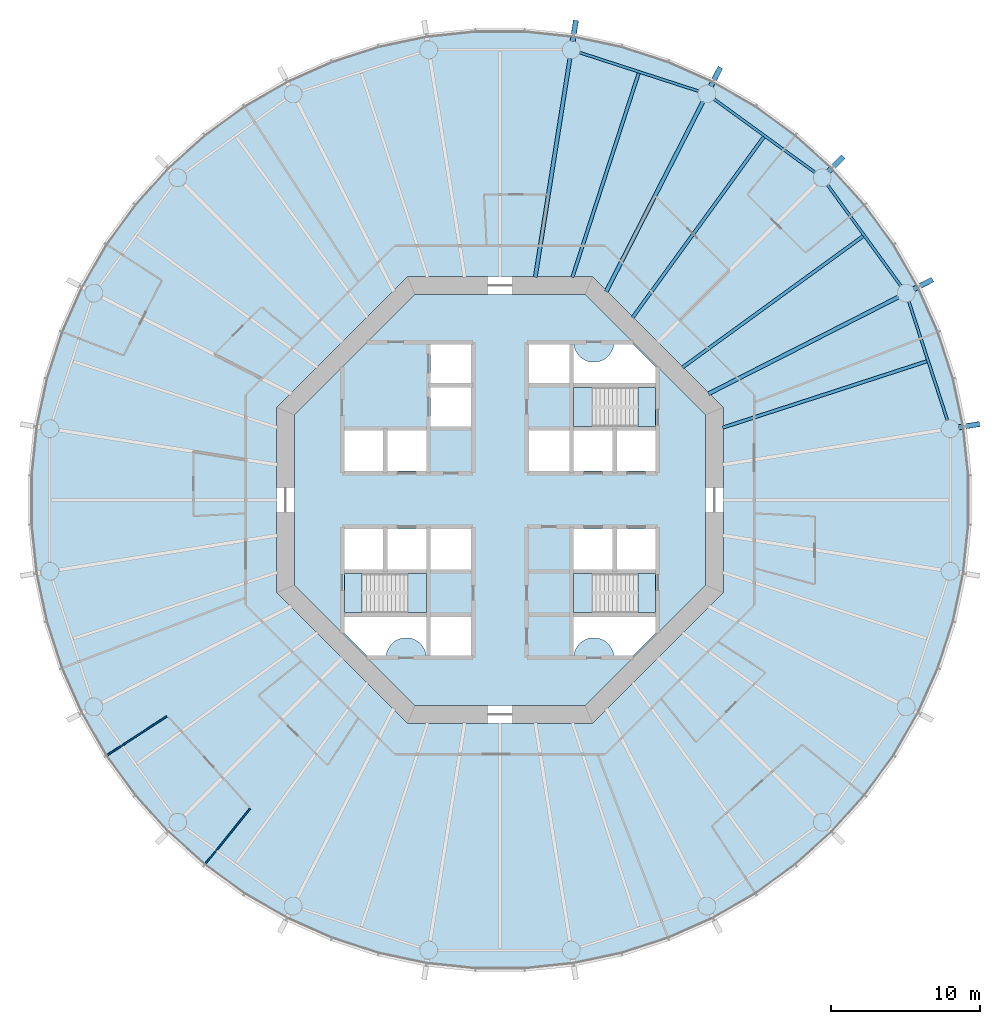
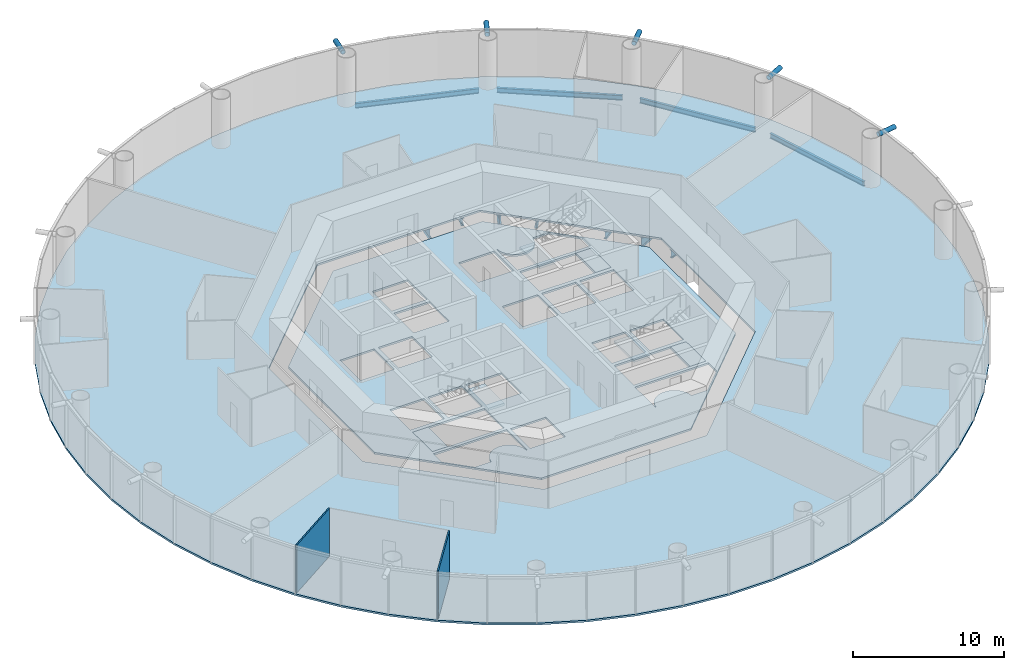
# One storey, part 2 of 13: 11 beams, 8 slabs, 5 members, 2 walls, 3 elements without a shape of their own.
"""IFC4 building model written with IfcOpenShell, lengths in metres."""

from ifc_helpers import new_model, si_unit, direction, frame, frame_2d, origin, origin_2d, place, context, subcontext, project, spatial, polyline, rectangle, circle, hollow_circle, i_section, outline, extrude, material, layer, layer_set, material_profile, profile_set, type_object, element, aggregate, save


model = new_model("IFC4")

# Units and contexts
model_context = context("Model", 3, precision=1e-05, world=origin(), true_north=direction((0.0, 1.0)))
body_context = subcontext(model_context, "Body", "Model", "MODEL_VIEW")
ifc_project = project(units=[si_unit("LENGTHUNIT", "METRE"), si_unit("AREAUNIT", "SQUARE_METRE"), si_unit("VOLUMEUNIT", "CUBIC_METRE"), si_unit("PLANEANGLEUNIT", "RADIAN"), si_unit("MASSUNIT", "GRAM", prefix="KILO")], contexts=[model_context])

# Site, building, storey
site_placement = place(None, origin())
site = spatial("IfcSite", under=ifc_project, at=site_placement, CompositionType="ELEMENT")
building_placement = place(site_placement, origin())
building = spatial("IfcBuilding", under=site, at=building_placement, Name="Entoto Ring Tower", CompositionType="ELEMENT")
storey_placement = place(building_placement, frame((0.0, 0.0, 112.0)))
storey = spatial("IfcBuildingStorey", under=building, at=storey_placement, Name="L25", CompositionType="ELEMENT", Elevation=112.0)

# Members
ifc_material_1 = material(Name="Steel S355", Category="steel")
ifc_material_profile_1 = material_profile(ifc_material_1, hollow_circle(Radius=0.177734375, WallThickness=0.01611328125, at=origin_2d()), Name="CHS 355.6 x 16")
ifc_material_2 = material(Name="Concrete C60/75", Category="concrete")
ifc_material_profile_2 = material_profile(ifc_material_2, circle(Radius=0.161865234375, at=origin_2d()), Name="Concrete C60/75 infill")
ifc_profile_set_1 = profile_set([ifc_material_profile_1, ifc_material_profile_2], Name="Steel S355")
member_type = type_object("IfcMemberType", Name="Diagrid node strut 355.6 x 16", PredefinedType="STRUT", material=ifc_profile_set_1)
member_1_placement = place(storey_placement, frame((117.78076171875, 94.155029296875, 3.672119140625), z_axis=(0.891034252013, 0.45393607671, 0.0), x_axis=(-0.45393607671, 0.891034252013, 0.0)))
element("IfcMember", 1, at=member_1_placement, inside=storey, type_object=member_type, Name="DS1 strut ring 7 01", PredefinedType="STRUT", context=body_context, shape_type="SweptSolid", body=[
    extrude(hollow_circle(Radius=0.177734375, WallThickness=0.01611328125, at=origin_2d()), origin(), (0.0, 0.0, 1.0), 1.4208984375),
])
member_2_placement = place(storey_placement, frame((112.046875, 102.046875, 3.672119140625), z_axis=(0.707106781187, 0.707106781187, 0.0), x_axis=(-0.707106781187, 0.707106781187, 0.0)))
element("IfcMember", 2, at=member_2_placement, inside=storey, type_object=member_type, Name="DS1 strut ring 7 02", PredefinedType="STRUT", context=body_context, shape_type="SweptSolid", body=[
    extrude(hollow_circle(Radius=0.177734375, WallThickness=0.01611328125, at=origin_2d()), origin(), (0.0, 0.0, 1.0), 1.421142578125),
])
member_3_placement = place(storey_placement, frame((104.155029296875, 107.78076171875, 3.672119140625), z_axis=(0.45393607671, 0.891034252013, 0.0), x_axis=(-0.891034252013, 0.45393607671, 0.0)))
element("IfcMember", 3, at=member_3_placement, inside=storey, type_object=member_type, Name="DS1 strut ring 7 03", PredefinedType="STRUT", context=body_context, shape_type="SweptSolid", body=[
    extrude(hollow_circle(Radius=0.177734375, WallThickness=0.01611328125, at=origin_2d()), origin(), (0.0, 0.0, 1.0), 1.4208984375),
])
for number, where, z_axis, x_axis, name in (
    (4, (94.87744140625, 110.795166015625, 3.672119140625), (0.156509522646, 0.987676449715, 0.0), (-0.987676449715, 0.156509522646, 0.0), "DS1 strut ring 7 04"),
    (5, (120.795166015625, 84.87744140625, 3.672119140625), (0.987676449715, 0.156509522646, 0.0), (-0.156509522646, 0.987676449715, 0.0), "DS1 strut ring 7 20"),
):
    element("IfcMember", number, at=place(storey_placement, frame(where, z_axis=z_axis, x_axis=x_axis)), inside=storey, type_object=member_type, Name=name, PredefinedType="STRUT", context=body_context, shape_type="SweptSolid", body=[
        extrude(hollow_circle(Radius=0.177734375, WallThickness=0.01611328125, at=origin_2d()), origin(), (0.0, 0.0, 1.0), 1.421142578125),
    ])

# Beams
ifc_material_3 = material(Name="Steel S355", Category="steel")
ifc_material_profile_3 = material_profile(ifc_material_3, i_section(OverallWidth=0.179931640625, OverallDepth=0.39990234375, WebThickness=0.008544921875, FlangeThickness=0.013427734375, FilletRadius=0.02099609375, at=origin_2d()), Name="IPE 400")
ifc_profile_set_2 = profile_set([ifc_material_profile_3], Name="Steel S355")
beam_type_1 = type_object("IfcBeamType", Name="Edge beam IPE 400", PredefinedType="SPANDREL", material=ifc_profile_set_2)
for number, where, z_axis, x_axis, name in (
    (6, (120.038330078125, 85.35595703125, -0.35009765625), (-0.309014241039, 0.951057410904, 0.0), (-0.951057410904, -0.309014241039, 0.0), "Edge beam L25 01"),
    (7, (116.9130859375, 94.376220703125, -0.35009765625), (-0.587783458554, 0.8090182976, 0.0), (-0.8090182976, -0.587783458554, 0.0), "Edge beam L25 02"),
    (8, (111.1533203125, 101.9892578125, -0.35009765625), (-0.8090182976, 0.587783458554, 0.0), (-0.587783458554, -0.8090182976, 0.0), "Edge beam L25 03"),
    (9, (103.322998046875, 107.44970703125, -0.35009765625), (-0.951057410904, 0.309014241039, 0.0), (-0.309014241039, -0.951057410904, 0.0), "Edge beam L25 04"),
):
    element("IfcBeam", number, at=place(storey_placement, frame(where, z_axis=z_axis, x_axis=x_axis)), inside=storey, type_object=beam_type_1, Name=name, PredefinedType="SPANDREL", context=body_context, shape_type="SweptSolid", body=[
        extrude(i_section(OverallWidth=0.179931640625, OverallDepth=0.39990234375, WebThickness=0.008544921875, FlangeThickness=0.013427734375, FilletRadius=0.02099609375, at=origin_2d()), origin(), (0.0, 0.0, 1.0), 8.376953125),
    ])
ifc_material_4 = material(Name="Steel S355", Category="steel")
ifc_material_profile_4 = material_profile(ifc_material_4, i_section(OverallWidth=0.262939453125, OverallDepth=0.7529296875, WebThickness=0.011474609375, FlangeThickness=0.01708984375, FilletRadius=0.01708984375, at=origin_2d()), Name="IPE 750 x 137")
ifc_profile_set_3 = profile_set([ifc_material_profile_4], Name="Steel S355")
beam_type_2 = type_object("IfcBeamType", Name="Primary floor beam IPE 750 x 137", PredefinedType="BEAM", material=ifc_profile_set_3)
for number, where, z_axis, x_axis, name in (
    (10, (103.9970703125, 87.1318359375, -0.526611328125), (0.891007312585, 0.453988952421, 0.0), (-0.453988952421, 0.891007312585, 0.0), "Primary L25 R02"),
    (11, (97.1318359375, 93.9970703125, -0.526611328125), (0.453988952421, 0.891007312585, 0.0), (-0.891007312585, 0.453988952421, 0.0), "Primary L25 R04"),
):
    element("IfcBeam", number, at=place(storey_placement, frame(where, z_axis=z_axis, x_axis=x_axis)), inside=storey, type_object=beam_type_2, Name=name, PredefinedType="BEAM", context=body_context, shape_type="SweptSolid", body=[
        extrude(i_section(OverallWidth=0.262939453125, OverallDepth=0.7529296875, WebThickness=0.011474609375, FlangeThickness=0.01708984375, FilletRadius=0.01708984375, at=origin_2d()), origin(), (0.0, 0.0, 1.0), 14.2998046875),
    ])
beam_1_placement = place(storey_placement, frame((92.369384765625, 94.959716796875, -0.526611328125), z_axis=(0.156426484787, 0.98768960451, 0.0), x_axis=(-0.98768960451, 0.156426484787, 0.0)))
element("IfcBeam", 12, at=beam_1_placement, inside=storey, type_object=beam_type_2, Name="Primary L25 R05", PredefinedType="BEAM", context=body_context, shape_type="SweptSolid", body=[
    extrude(i_section(OverallWidth=0.262939453125, OverallDepth=0.7529296875, WebThickness=0.011474609375, FlangeThickness=0.01708984375, FilletRadius=0.01708984375, at=origin_2d()), origin(), (0.0, 0.0, 1.0), 14.86279296875),
])
ifc_material_5 = material(Name="Steel S355", Category="steel")
ifc_material_profile_5 = material_profile(ifc_material_5, i_section(OverallWidth=0.219970703125, OverallDepth=0.60009765625, WebThickness=0.011962890625, FlangeThickness=0.01904296875, FilletRadius=0.02392578125, at=origin_2d()), Name="IPE 600")
ifc_profile_set_4 = profile_set([ifc_material_profile_5], Name="Steel S355")
beam_type_3 = type_object("IfcBeamType", Name="Secondary floor beam IPE 600", PredefinedType="JOIST", material=ifc_profile_set_4)
beam_2_placement = place(storey_placement, frame((104.947021484375, 84.856689453125, -0.449951171875), z_axis=(0.951057212949, 0.309014850288, 0.0), x_axis=(-0.309014850288, 0.951057212949, 0.0)))
element("IfcBeam", 13, at=beam_2_placement, inside=storey, type_object=beam_type_3, Name="Secondary beam L25 01", PredefinedType="JOIST", context=body_context, shape_type="SweptSolid", body=[
    extrude(i_section(OverallWidth=0.219970703125, OverallDepth=0.60009765625, WebThickness=0.011962890625, FlangeThickness=0.01904296875, FilletRadius=0.02392578125, at=origin_2d()), origin(), (0.0, 0.0, 1.0), 14.4169921875),
])
for number, where, z_axis, x_axis, name in (
    (14, (102.25634765625, 88.90478515625, -0.449951171875), (0.809019238239, 0.587782163866, 0.0), (-0.587782163866, 0.809019238239, 0.0), "Secondary beam L25 02"),
    (15, (98.90478515625, 92.25634765625, -0.449951171875), (0.587782163866, 0.809019238239, 0.0), (-0.809019238239, 0.587782163866, 0.0), "Secondary beam L25 03"),
):
    element("IfcBeam", number, at=place(storey_placement, frame(where, z_axis=z_axis, x_axis=x_axis)), inside=storey, type_object=beam_type_3, Name=name, PredefinedType="JOIST", context=body_context, shape_type="SweptSolid", body=[
        extrude(i_section(OverallWidth=0.219970703125, OverallDepth=0.60009765625, WebThickness=0.011962890625, FlangeThickness=0.01904296875, FilletRadius=0.02392578125, at=origin_2d()), origin(), (0.0, 0.0, 1.0), 14.983642578125),
    ])
beam_3_placement = place(storey_placement, frame((94.856689453125, 94.947021484375, -0.449951171875), z_axis=(0.309014850288, 0.951057212949, 0.0), x_axis=(-0.951057212949, 0.309014850288, 0.0)))
element("IfcBeam", 16, at=beam_3_placement, inside=storey, type_object=beam_type_3, Name="Secondary beam L25 04", PredefinedType="JOIST", context=body_context, shape_type="SweptSolid", body=[
    extrude(i_section(OverallWidth=0.219970703125, OverallDepth=0.60009765625, WebThickness=0.011962890625, FlangeThickness=0.01904296875, FilletRadius=0.02392578125, at=origin_2d()), origin(), (0.0, 0.0, 1.0), 14.4169921875),
])

# Slabs
ifc_material_6 = material(Name="Concrete C30/37", Category="concrete")
ifc_layer_1 = layer(ifc_material_6, 0.14990234375)
ifc_layer_set_1 = layer_set([ifc_layer_1], Name="Concrete C30/37")
slab_type_1 = type_object("IfcSlabType", Name="Composite floor slab 150 mm", PredefinedType="FLOOR", material=ifc_layer_set_1)
slab_1_placement = place(storey_placement, frame((0.0, 0.0, -0.14990234375)))
element("IfcSlab", 17, at=slab_1_placement, inside=storey, type_object=slab_type_1, Name="Floor slab L25", PredefinedType="FLOOR", context=body_context, shape_type="SweptSolid", body=[
    extrude(outline(polyline([(121.2109375, 84.943359375), (120.523193359375, 88.1787109375), (119.501220703125, 91.324462890625), (118.15576171875, 94.34619140625), (116.501953125, 97.210693359375), (114.557861328125, 99.886474609375), (112.344482421875, 102.344482421875), (109.886474609375, 104.557861328125), (107.210693359375, 106.501953125), (104.34619140625, 108.15576171875), (101.324462890625, 109.501220703125), (98.1787109375, 110.523193359375), (94.943359375, 111.2109375), (91.65380859375, 111.556640625), (88.34619140625, 111.556640625), (85.056640625, 111.2109375), (81.8212890625, 110.523193359375), (78.675537109375, 109.501220703125), (75.65380859375, 108.15576171875), (72.789306640625, 106.501953125), (70.113525390625, 104.557861328125), (67.655517578125, 102.344482421875), (65.442138671875, 99.886474609375), (63.498046875, 97.210693359375), (61.84423828125, 94.34619140625), (60.498779296875, 91.324462890625), (59.476806640625, 88.1787109375), (58.7890625, 84.943359375), (58.443359375, 81.65380859375), (58.443359375, 78.34619140625), (58.7890625, 75.056640625), (59.476806640625, 71.8212890625), (60.498779296875, 68.675537109375), (61.84423828125, 65.65380859375), (63.498046875, 62.789306640625), (65.442138671875, 60.113525390625), (67.655517578125, 57.655517578125), (70.113525390625, 55.442138671875), (72.789306640625, 53.498046875), (75.65380859375, 51.84423828125), (78.675537109375, 50.498779296875), (81.8212890625, 49.476806640625), (85.056640625, 48.7890625), (88.34619140625, 48.443359375), (91.65380859375, 48.443359375), (94.943359375, 48.7890625), (98.1787109375, 49.476806640625), (101.324462890625, 50.498779296875), (104.34619140625, 51.84423828125), (107.210693359375, 53.498046875), (109.886474609375, 55.442138671875), (112.344482421875, 57.655517578125), (114.557861328125, 60.113525390625), (116.501953125, 62.789306640625), (118.15576171875, 65.65380859375), (119.501220703125, 68.675537109375), (120.523193359375, 71.8212890625), (121.2109375, 75.056640625), (121.556640625, 78.34619140625), (121.556640625, 81.65380859375), (121.2109375, 84.943359375)]), holes=[polyline([(105.0, 73.786865234375), (105.0, 86.213134765625), (96.213134765625, 95.0), (83.786865234375, 95.0), (75.0, 86.213134765625), (75.0, 73.786865234375), (83.786865234375, 65.0), (96.213134765625, 65.0), (105.0, 73.786865234375)])]), origin(), (0.0, 0.0, 1.0), 0.14990234375),
])
ifc_material_7 = material(Name="Concrete C40/50", Category="concrete")
ifc_layer_2 = layer(ifc_material_7, 0.14990234375)
ifc_layer_set_2 = layer_set([ifc_layer_2], Name="Concrete C40/50")
slab_type_2 = type_object("IfcSlabType", Name="Core floor slab 150 mm reinforced concrete C40/50", PredefinedType="FLOOR", material=ifc_layer_set_2)
slab_2_placement = place(storey_placement, frame((0.0, 0.0, -0.14990234375)))
element("IfcSlab", 18, at=slab_2_placement, inside=storey, type_object=slab_type_2, Name="Core floor L25", PredefinedType="FLOOR", context=body_context, shape_type="SweptSolid", body=[
    extrude(outline(polyline([(103.800048828125, 74.283935546875), (103.800048828125, 85.716064453125), (95.716064453125, 93.800048828125), (84.283935546875, 93.800048828125), (76.199951171875, 85.716064453125), (76.199951171875, 74.283935546875), (84.283935546875, 66.199951171875), (95.716064453125, 66.199951171875), (103.800048828125, 74.283935546875)]), holes=[polyline([(100.449951171875, 84.949951171875), (100.449951171875, 87.550048828125), (94.949951171875, 87.550048828125), (94.949951171875, 84.949951171875), (100.449951171875, 84.949951171875)]), polyline([(85.050048828125, 72.449951171875), (85.050048828125, 75.050048828125), (79.550048828125, 75.050048828125), (79.550048828125, 72.449951171875), (85.050048828125, 72.449951171875)]), polyline([(100.449951171875, 72.449951171875), (100.449951171875, 75.050048828125), (94.949951171875, 75.050048828125), (94.949951171875, 72.449951171875), (100.449951171875, 72.449951171875)]), polyline([(94.949951171875, 81.949951171875), (97.550048828125, 81.949951171875), (97.550048828125, 84.64990234375), (94.949951171875, 84.64990234375), (94.949951171875, 81.949951171875)]), polyline([(97.85009765625, 81.949951171875), (100.449951171875, 81.949951171875), (100.449951171875, 84.64990234375), (97.85009765625, 84.64990234375), (97.85009765625, 81.949951171875)]), polyline([(82.449951171875, 81.949951171875), (85.050048828125, 81.949951171875), (85.050048828125, 84.64990234375), (82.449951171875, 84.64990234375), (82.449951171875, 81.949951171875)]), polyline([(94.949951171875, 75.35009765625), (97.550048828125, 75.35009765625), (97.550048828125, 78.050048828125), (94.949951171875, 78.050048828125), (94.949951171875, 75.35009765625)]), polyline([(97.85009765625, 75.35009765625), (100.449951171875, 75.35009765625), (100.449951171875, 78.050048828125), (97.85009765625, 78.050048828125), (97.85009765625, 75.35009765625)]), polyline([(82.449951171875, 75.35009765625), (85.050048828125, 75.35009765625), (85.050048828125, 78.050048828125), (82.449951171875, 78.050048828125), (82.449951171875, 75.35009765625)]), polyline([(79.550048828125, 81.949951171875), (82.14990234375, 81.949951171875), (82.14990234375, 84.64990234375), (79.550048828125, 84.64990234375), (79.550048828125, 81.949951171875)]), polyline([(79.550048828125, 75.35009765625), (82.14990234375, 75.35009765625), (82.14990234375, 78.050048828125), (79.550048828125, 78.050048828125), (79.550048828125, 75.35009765625)]), polyline([(91.949951171875, 87.85009765625), (94.64990234375, 87.85009765625), (94.64990234375, 90.449951171875), (91.949951171875, 90.449951171875), (91.949951171875, 87.85009765625)]), polyline([(85.35009765625, 69.550048828125), (88.050048828125, 69.550048828125), (88.050048828125, 72.14990234375), (85.35009765625, 72.14990234375), (85.35009765625, 69.550048828125)]), polyline([(91.949951171875, 81.949951171875), (94.64990234375, 81.949951171875), (94.64990234375, 84.64990234375), (91.949951171875, 84.64990234375), (91.949951171875, 81.949951171875)]), polyline([(85.35009765625, 75.35009765625), (88.050048828125, 75.35009765625), (88.050048828125, 78.050048828125), (85.35009765625, 78.050048828125), (85.35009765625, 75.35009765625)]), polyline([(85.35009765625, 84.949951171875), (88.050048828125, 84.949951171875), (88.050048828125, 87.550048828125), (85.35009765625, 87.550048828125), (85.35009765625, 84.949951171875)]), polyline([(85.35009765625, 87.85009765625), (88.050048828125, 87.85009765625), (88.050048828125, 90.449951171875), (85.35009765625, 90.449951171875), (85.35009765625, 87.85009765625)]), polyline([(94.89990234375, 90.5), (94.89990234375, 87.800048828125), (100.5, 87.800048828125), (100.5, 88.874755859375), (98.874755859375, 90.5), (97.64501953125, 90.5), (97.6435546875, 90.4677734375), (97.6240234375, 90.336669921875), (97.591796875, 90.2080078125), (97.547119140625, 90.08349609375), (97.490478515625, 89.963623046875), (97.422607421875, 89.85009765625), (97.343505859375, 89.74365234375), (97.254638671875, 89.6455078125), (97.156494140625, 89.556396484375), (97.050048828125, 89.4775390625), (96.936279296875, 89.409423828125), (96.816650390625, 89.352783203125), (96.69189453125, 89.30810546875), (96.5634765625, 89.27587890625), (96.432373046875, 89.256591796875), (96.300048828125, 89.25), (96.167724609375, 89.256591796875), (96.03662109375, 89.27587890625), (95.908203125, 89.30810546875), (95.783447265625, 89.352783203125), (95.66357421875, 89.409423828125), (95.550048828125, 89.4775390625), (95.443603515625, 89.556396484375), (95.345458984375, 89.6455078125), (95.25634765625, 89.74365234375), (95.177490234375, 89.85009765625), (95.109375, 89.963623046875), (95.052734375, 90.08349609375), (95.008056640625, 90.2080078125), (94.975830078125, 90.336669921875), (94.95654296875, 90.4677734375), (94.954833984375, 90.5), (94.89990234375, 90.5)]), polyline([(79.5, 71.125244140625), (81.125244140625, 69.5), (82.35498046875, 69.5), (82.3564453125, 69.5322265625), (82.3759765625, 69.663330078125), (82.408203125, 69.7919921875), (82.452880859375, 69.91650390625), (82.509521484375, 70.036376953125), (82.577392578125, 70.14990234375), (82.656494140625, 70.25634765625), (82.745361328125, 70.3544921875), (82.843505859375, 70.443603515625), (82.949951171875, 70.5224609375), (83.063720703125, 70.590576171875), (83.183349609375, 70.647216796875), (83.30810546875, 70.69189453125), (83.4365234375, 70.72412109375), (83.567626953125, 70.743408203125), (83.699951171875, 70.75), (83.832275390625, 70.743408203125), (83.96337890625, 70.72412109375), (84.091796875, 70.69189453125), (84.216552734375, 70.647216796875), (84.33642578125, 70.590576171875), (84.449951171875, 70.5224609375), (84.556396484375, 70.443603515625), (84.654541015625, 70.3544921875), (84.74365234375, 70.25634765625), (84.822509765625, 70.14990234375), (84.890625, 70.036376953125), (84.947265625, 69.91650390625), (84.991943359375, 69.7919921875), (85.024169921875, 69.663330078125), (85.04345703125, 69.5322265625), (85.045166015625, 69.5), (85.10009765625, 69.5), (85.10009765625, 72.199951171875), (79.5, 72.199951171875), (79.5, 71.125244140625)]), polyline([(97.64501953125, 69.5), (98.874755859375, 69.5), (100.5, 71.125244140625), (100.5, 72.199951171875), (94.89990234375, 72.199951171875), (94.89990234375, 69.5), (94.954833984375, 69.5), (94.95654296875, 69.5322265625), (94.975830078125, 69.663330078125), (95.008056640625, 69.7919921875), (95.052734375, 69.91650390625), (95.109375, 70.036376953125), (95.177490234375, 70.14990234375), (95.25634765625, 70.25634765625), (95.345458984375, 70.3544921875), (95.443603515625, 70.443603515625), (95.550048828125, 70.5224609375), (95.66357421875, 70.590576171875), (95.783447265625, 70.647216796875), (95.908203125, 70.69189453125), (96.03662109375, 70.72412109375), (96.167724609375, 70.743408203125), (96.300048828125, 70.75), (96.432373046875, 70.743408203125), (96.5634765625, 70.72412109375), (96.69189453125, 70.69189453125), (96.816650390625, 70.647216796875), (96.936279296875, 70.590576171875), (97.050048828125, 70.5224609375), (97.156494140625, 70.443603515625), (97.254638671875, 70.3544921875), (97.343505859375, 70.25634765625), (97.422607421875, 70.14990234375), (97.490478515625, 70.036376953125), (97.547119140625, 69.91650390625), (97.591796875, 69.7919921875), (97.6240234375, 69.663330078125), (97.6435546875, 69.5322265625), (97.64501953125, 69.5)])]), origin(), (0.0, 0.0, 1.0), 0.14990234375),
])

# Stair, slabs
ifc_material_8 = material(Name="Concrete C40/50", Category="concrete")
stair_type = type_object("IfcStairType", Name="Exit stair 1200 mm dog-leg reinforced concrete", PredefinedType="HALF_TURN_STAIR", material=ifc_material_8)
stair_1_placement = place(storey_placement, origin())
stair_1 = element("IfcStair", 19, at=stair_1_placement, inside=storey, type_object=stair_type, Name="Exit stair 1", PredefinedType="HALF_TURN_STAIR")
ifc_material_9 = material(Name="Concrete C40/50", Category="concrete")
ifc_layer_3 = layer(ifc_material_9, 0.199951171875)
ifc_layer_set_3 = layer_set([ifc_layer_3], Name="Concrete C40/50")
slab_type_3 = type_object("IfcSlabType", Name="Stair landing 200 mm reinforced concrete", PredefinedType="LANDING", material=ifc_layer_set_3)
slab_3_placement = place(storey_placement, frame((0.0, 0.0, -0.199951171875)))
slab_3 = element("IfcSlab", 20, at=slab_3_placement, type_object=slab_type_3, Name="ST1 landing 1", PredefinedType="LANDING", context=body_context, shape_type="SweptSolid", body=[
    extrude(outline(polyline([(100.449951171875, 84.949951171875), (100.449951171875, 87.550048828125), (99.25, 87.550048828125), (99.25, 84.949951171875), (100.449951171875, 84.949951171875)])), origin(), (0.0, 0.0, 1.0), 0.199951171875),
])
slab_4_placement = place(storey_placement, frame((0.0, 0.0, 1.800048828125)))
slab_4 = element("IfcSlab", 21, at=slab_4_placement, type_object=slab_type_3, Name="ST1 landing 2", PredefinedType="LANDING", context=body_context, shape_type="SweptSolid", body=[
    extrude(outline(polyline([(94.949951171875, 84.949951171875), (96.169921875, 84.949951171875), (96.169921875, 87.550048828125), (94.949951171875, 87.550048828125), (94.949951171875, 84.949951171875)])), origin(), (0.0, 0.0, 1.0), 0.199951171875),
])
aggregate(stair_1, [slab_3, slab_4])

stair_2_placement = place(storey_placement, origin())
stair_2 = element("IfcStair", 22, at=stair_2_placement, inside=storey, type_object=stair_type, Name="Exit stair 2", PredefinedType="HALF_TURN_STAIR")
slab_5_placement = place(storey_placement, frame((0.0, 0.0, -0.199951171875)))
slab_5 = element("IfcSlab", 23, at=slab_5_placement, type_object=slab_type_3, Name="ST2 landing 1", PredefinedType="LANDING", context=body_context, shape_type="SweptSolid", body=[
    extrude(outline(polyline([(80.75, 72.449951171875), (80.75, 75.050048828125), (79.550048828125, 75.050048828125), (79.550048828125, 72.449951171875), (80.75, 72.449951171875)])), origin(), (0.0, 0.0, 1.0), 0.199951171875),
])
slab_6_placement = place(storey_placement, frame((0.0, 0.0, 1.800048828125)))
slab_6 = element("IfcSlab", 24, at=slab_6_placement, type_object=slab_type_3, Name="ST2 landing 2", PredefinedType="LANDING", context=body_context, shape_type="SweptSolid", body=[
    extrude(outline(polyline([(83.830078125, 72.449951171875), (85.050048828125, 72.449951171875), (85.050048828125, 75.050048828125), (83.830078125, 75.050048828125), (83.830078125, 72.449951171875)])), origin(), (0.0, 0.0, 1.0), 0.199951171875),
])
aggregate(stair_2, [slab_5, slab_6])

stair_3_placement = place(storey_placement, origin())
stair_3 = element("IfcStair", 25, at=stair_3_placement, inside=storey, type_object=stair_type, Name="Exit stair 3", PredefinedType="HALF_TURN_STAIR")
slab_7_placement = place(storey_placement, frame((0.0, 0.0, -0.199951171875)))
slab_7 = element("IfcSlab", 26, at=slab_7_placement, type_object=slab_type_3, Name="ST3 landing 1", PredefinedType="LANDING", context=body_context, shape_type="SweptSolid", body=[
    extrude(outline(polyline([(100.449951171875, 72.449951171875), (100.449951171875, 75.050048828125), (99.25, 75.050048828125), (99.25, 72.449951171875), (100.449951171875, 72.449951171875)])), origin(), (0.0, 0.0, 1.0), 0.199951171875),
])
slab_8_placement = place(storey_placement, frame((0.0, 0.0, 1.800048828125)))
slab_8 = element("IfcSlab", 27, at=slab_8_placement, type_object=slab_type_3, Name="ST3 landing 2", PredefinedType="LANDING", context=body_context, shape_type="SweptSolid", body=[
    extrude(outline(polyline([(94.949951171875, 72.449951171875), (96.169921875, 72.449951171875), (96.169921875, 75.050048828125), (94.949951171875, 75.050048828125), (94.949951171875, 72.449951171875)])), origin(), (0.0, 0.0, 1.0), 0.199951171875),
])
aggregate(stair_3, [slab_7, slab_8])

# Walls
ifc_material_10 = material(Name="Plasterboard on steel studs", Category="steel")
ifc_layer_4 = layer(ifc_material_10, 0.10009765625)
ifc_layer_set_4 = layer_set([ifc_layer_4], Name="Plasterboard on steel studs")
wall_type = type_object("IfcWallType", Name="Partition 100 mm plasterboard on steel studs", PredefinedType="PARTITIONING", material=ifc_layer_set_4)
wall_1_placement = place(storey_placement, frame((63.632080078125, 62.87646484375, 0.0), z_axis=(0.0, 0.0, 1.0), x_axis=(0.838656789212, 0.544660251817, 0.0)))
element("IfcWall", 28, at=wall_1_placement, inside=storey, type_object=wall_type, Name="partition-L25-025", PredefinedType="PARTITIONING", context=body_context, shape_type="SweptSolid", body=[
    extrude(rectangle(XDim=4.7607421875, YDim=0.10009765625, at=frame_2d((2.38037109375, 0.0))), origin(), (0.0, 0.0, 1.0), 3.85009765625),
])
wall_2_placement = place(storey_placement, frame((70.214111328125, 55.56640625, 0.0), z_axis=(0.0, 0.0, 1.0), x_axis=(0.62931181132, 0.777152909107, 0.0)))
element("IfcWall", 29, at=wall_2_placement, inside=storey, type_object=wall_type, Name="partition-L25-026", PredefinedType="PARTITIONING", context=body_context, shape_type="SweptSolid", body=[
    extrude(rectangle(XDim=4.760986328125, YDim=0.10009765625, at=frame_2d((2.38037109375, 0.0))), origin(), (0.0, 0.0, 1.0), 3.85009765625),
])

save(model, "model.ifc")
